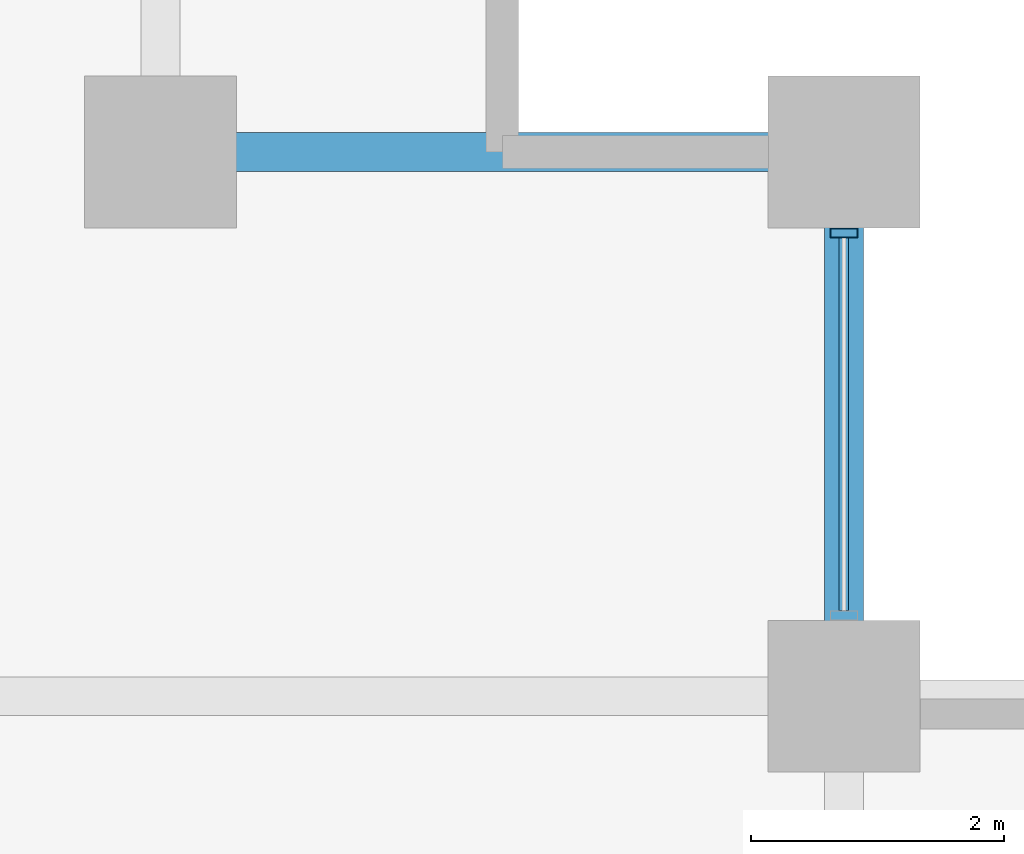
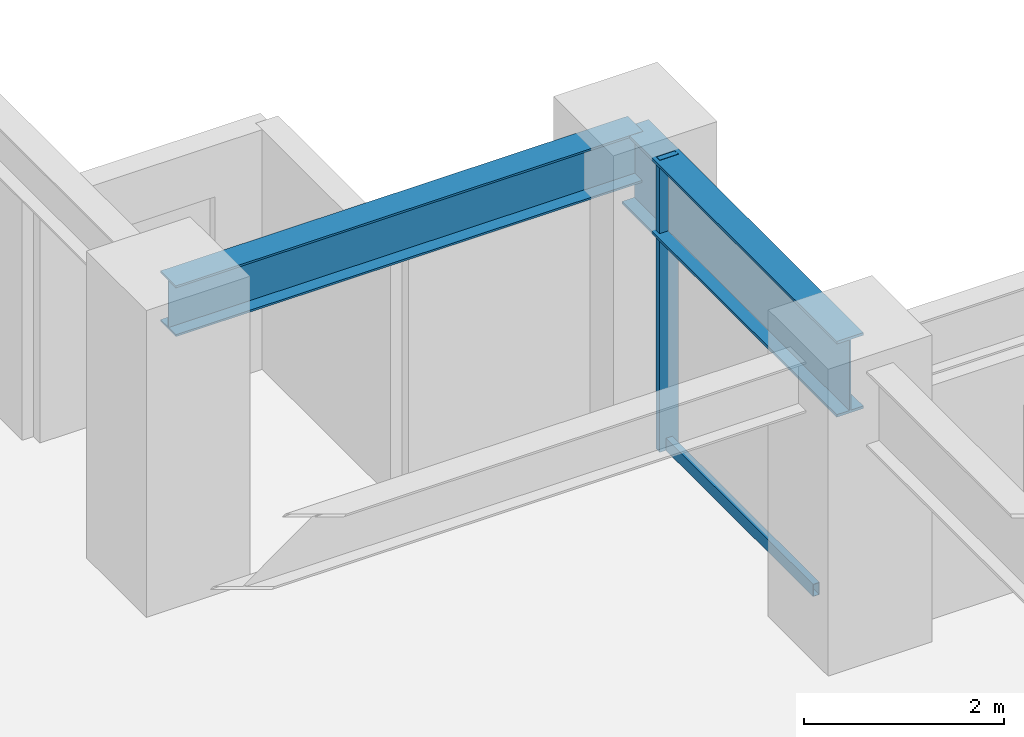
# One storey, part 18 of 28: 2 beams, 2 members, 1 element without a shape of its own.
"""IFC4 building model written with IfcOpenShell, lengths in metres."""

from ifc_helpers import new_model, si_unit, direction, frame, origin, origin_2d, place, context, subcontext, project, spatial, hollow_rectangle, i_section, extrude, material, layer, layer_set, material_profile, profile_set, type_object, element, aggregate, save


model = new_model("IFC4")

# Units and contexts
model_context = context("Model", 3, precision=1e-05, world=origin(), true_north=direction((0.0, 1.0)))
body_context = subcontext(model_context, "Body", "Model", "MODEL_VIEW")
ifc_project = project(units=[si_unit("LENGTHUNIT", "METRE"), si_unit("AREAUNIT", "SQUARE_METRE"), si_unit("VOLUMEUNIT", "CUBIC_METRE"), si_unit("PLANEANGLEUNIT", "RADIAN"), si_unit("MASSUNIT", "GRAM", prefix="KILO")], contexts=[model_context])

# Site, building, storey
site_placement = place(None, origin())
site = spatial("IfcSite", under=ifc_project, at=site_placement, CompositionType="ELEMENT")
building_placement = place(site_placement, origin())
building = spatial("IfcBuilding", under=site, at=building_placement, Name="Surkhivell Harbour Commons", CompositionType="ELEMENT")
storey_placement = place(building_placement, frame((0.0, 0.0, 67.5)))
storey = spatial("IfcBuildingStorey", under=building, at=storey_placement, Name="L17", CompositionType="ELEMENT", Elevation=67.5)

# Beams
ifc_material_1 = material(Name="Steel S355", Category="steel")
ifc_material_profile_1 = material_profile(ifc_material_1, i_section(OverallWidth=0.306884765625, OverallDepth=0.6201171875, WebThickness=0.01416015625, FlangeThickness=0.023681640625, at=origin_2d()), Name="UB610x305x179")
ifc_profile_set_1 = profile_set([ifc_material_profile_1], Name="Steel S355")
beam_type_1 = type_object("IfcBeamType", Name="BM-GRD-610A", PredefinedType="BEAM", material=ifc_profile_set_1)
beam_1_placement = place(storey_placement, frame((27.0, 20.5, 3.260009765625), z_axis=(1.0, 0.0, 0.0), x_axis=(0.0, 1.0, 0.0)))
element("IfcBeam", 1, at=beam_1_placement, inside=storey, type_object=beam_type_1, Name="L17 Floor Girder (27.0,20.5)", PredefinedType="BEAM", context=body_context, shape_type="SweptSolid", body=[
    extrude(i_section(OverallWidth=0.306884765625, OverallDepth=0.6201171875, WebThickness=0.01416015625, FlangeThickness=0.023681640625, at=origin_2d()), origin(), (0.0, 0.0, 1.0), 5.39990234375),
])
ifc_material_2 = material(Name="Steel S460", Category="steel")
ifc_material_profile_2 = material_profile(ifc_material_2, i_section(OverallWidth=0.30810546875, OverallDepth=0.927001953125, WebThickness=0.01953125, FlangeThickness=0.031982421875, at=origin_2d()), Name="UB914x305x289")
ifc_profile_set_2 = profile_set([ifc_material_profile_2], Name="Steel S460")
beam_type_2 = type_object("IfcBeamType", Name="BM-SPN-914B", PredefinedType="SPANDREL", material=ifc_profile_set_2)
beam_2_placement = place(storey_placement, frame((32.39990234375, 16.199951171875, 3.1064453125), z_axis=(0.0, 1.0, 0.0), x_axis=(-1.0, 0.0, 0.0)))
element("IfcBeam", 2, at=beam_2_placement, inside=storey, type_object=beam_type_2, Name="L17 Tube Spandrel (32.4,16.2)", PredefinedType="SPANDREL", context=body_context, shape_type="SweptSolid", body=[
    extrude(i_section(OverallWidth=0.30810546875, OverallDepth=0.927001953125, WebThickness=0.01953125, FlangeThickness=0.031982421875, at=origin_2d()), origin(), (0.0, 0.0, 1.0), 4.300048828125),
])

# Curtain wall, members
ifc_material_3 = material(Name="Anodised pale-metal aluminium and insulated glazing", Category="aluminium")
ifc_layer = layer(ifc_material_3, 0.219970703125)
ifc_layer_set = layer_set([ifc_layer], Name="Anodised pale-metal aluminium and insulated glazing")
curtain_wall_type = type_object("IfcCurtainWallType", Name="CW-SYS-Z1", PredefinedType="NOTDEFINED", material=ifc_layer_set)
curtain_wall_placement = place(storey_placement, origin())
curtain_wall = element("IfcCurtainWall", 3, at=curtain_wall_placement, inside=storey, type_object=curtain_wall_type, Name="L17 Curtain Wall CW-L17-E02R2", PredefinedType="NOTDEFINED")
ifc_material_4 = material(Name="Anodised pale-metal aluminium alloy 6063-T6", Category="aluminium")
ifc_material_profile_3 = material_profile(ifc_material_4, hollow_rectangle(XDim=0.074951171875, YDim=0.219970703125, WallThickness=0.00390625, at=origin_2d()), Name="ALU-MULL-75x220")
ifc_profile_set_3 = profile_set([ifc_material_profile_3], Name="Anodised pale-metal aluminium alloy 6063-T6")
member_type_1 = type_object("IfcMemberType", Name="CWM-220", PredefinedType="MULLION", material=ifc_profile_set_3)
member_1_placement = place(storey_placement, frame((32.39990234375, 19.860595703125, 0.0), z_axis=(0.0, 0.0, 1.0), x_axis=(0.0, 1.0, 0.0)))
member_1 = element("IfcMember", 4, at=member_1_placement, type_object=member_type_1, Name="CW-Z1 mullion 2", PredefinedType="MULLION", context=body_context, shape_type="SweptSolid", body=[
    extrude(hollow_rectangle(XDim=0.074951171875, YDim=0.219970703125, WallThickness=0.00390625, at=origin_2d()), origin(), (0.0, 0.0, 1.0), 3.570068359375),
])
ifc_material_profile_4 = material_profile(ifc_material_4, hollow_rectangle(XDim=0.074951171875, YDim=0.14990234375, WallThickness=0.00341796875, at=origin_2d()), Name="ALU-TRAN-75x150")
ifc_profile_set_4 = profile_set([ifc_material_profile_4], Name="Anodised pale-metal aluminium alloy 6063-T6")
member_type_2 = type_object("IfcMemberType", Name="CWT-150", PredefinedType="USERDEFINED", material=ifc_profile_set_4)
member_2_placement = place(storey_placement, frame((32.39990234375, 16.876953125, 0.074951171875), z_axis=(0.0, 1.0, 0.0), x_axis=(-1.0, 0.0, 0.0)))
member_2 = element("IfcMember", 5, at=member_2_placement, type_object=member_type_2, Name="CW-Z1 transom 1.1", ObjectType="TRANSOM", PredefinedType="USERDEFINED", context=body_context, shape_type="SweptSolid", body=[
    extrude(hollow_rectangle(XDim=0.074951171875, YDim=0.14990234375, WallThickness=0.00341796875, at=origin_2d()), origin(), (0.0, 0.0, 1.0), 2.946044921875),
])
aggregate(curtain_wall, [member_1, member_2])

save(model, "model.ifc")
